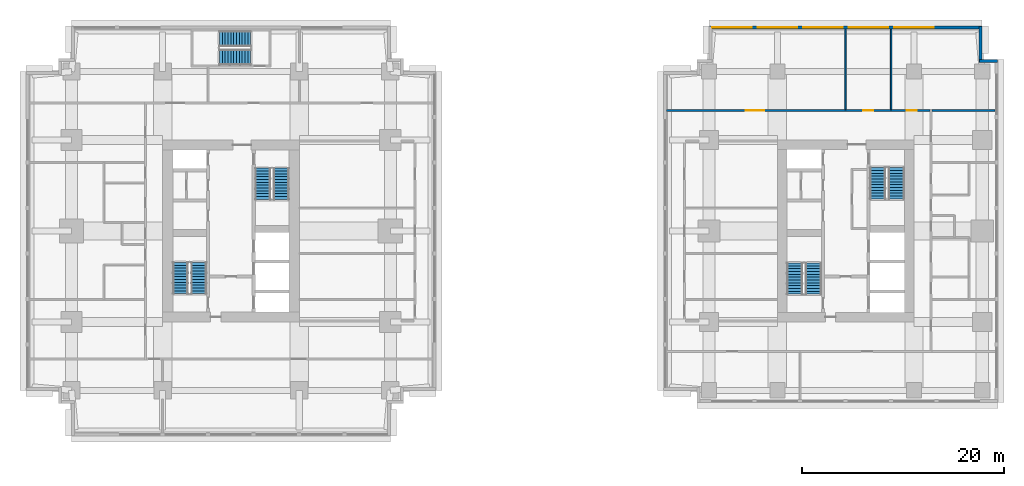
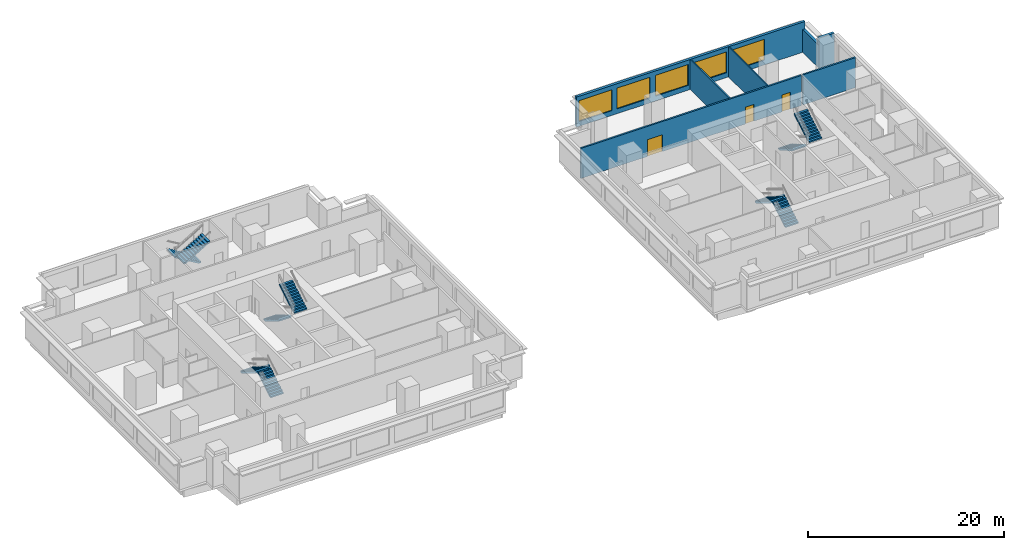
# One storey, part 8 of 10: 10 stair flights, 7 walls, 5 windows, 3 doors, 8 openings, 5 elements without a shape of their own.
"""IFC4 building model written with IfcOpenShell, lengths in metres."""

from ifc_helpers import new_model, si_unit, direction, frame, frame_2d, origin, place, context, subcontext, project, spatial, polyline, rectangle, outline, extrude, material, layer, layer_set, type_object, element, fill, aggregate, save


model = new_model("IFC4")

# Units and contexts
model_context = context("Model", 3, precision=1e-05, world=origin(), true_north=direction((0.0, 1.0)))
body_context = subcontext(model_context, "Body", "Model", "MODEL_VIEW")
ifc_project = project(units=[si_unit("LENGTHUNIT", "METRE"), si_unit("AREAUNIT", "SQUARE_METRE"), si_unit("VOLUMEUNIT", "CUBIC_METRE"), si_unit("PLANEANGLEUNIT", "RADIAN"), si_unit("MASSUNIT", "GRAM", prefix="KILO")], contexts=[model_context])

# Site, building, storey
site_placement = place(None, origin())
site = spatial("IfcSite", under=ifc_project, at=site_placement, CompositionType="ELEMENT")
building_placement = place(site_placement, origin())
building = spatial("IfcBuilding", under=site, at=building_placement, Name="Namib Vertical Campus", CompositionType="ELEMENT")
storey_placement = place(building_placement, frame((0.0, 0.0, 153.0)))
storey = spatial("IfcBuildingStorey", under=building, at=storey_placement, Name="L36", CompositionType="ELEMENT", Elevation=153.0)

# Wall, openings, doors
ifc_material_1 = material(Name="Concrete masonry", Category="masonry")
ifc_layer_1 = layer(ifc_material_1, 0.199951171875)
ifc_layer_set_1 = layer_set([ifc_layer_1], Name="Corridor wall 200")
wall_type_1 = type_object("IfcWallType", Name="Corridor wall 200", PredefinedType="SOLIDWALL", material=ifc_layer_set_1)
wall_1_placement = place(storey_placement, frame((89.35009765625, 32.14990234375, 0.0), z_axis=(0.0, 0.0, 1.0), x_axis=(-1.0, 0.0, 0.0)))
wall_1 = element("IfcWall", 1, at=wall_1_placement, inside=storey, type_object=wall_type_1, Name="Corridor wall B L36 CN", PredefinedType="SOLIDWALL", context=body_context, shape_type="SweptSolid", body=[
    extrude(rectangle(XDim=26.050048828125, YDim=0.199951171875, at=frame_2d((13.02490234375, 0.0))), origin(), (0.0, 0.0, 1.0), 3.75),
])
opening_1_placement = place(wall_1_placement, frame((16.39990234375, 0.0, 0.0)))
opening_1 = element("IfcOpeningElement", 2, at=opening_1_placement, cuts=wall_1, Name="Opening CD2", PredefinedType="OPENING", context=body_context, shape_type="SweptSolid", body=[
    extrude(rectangle(XDim=1.800048828125, YDim=2.10009765625, at=frame_2d((0.89990234375, 1.050048828125))), frame((0.0, 0.10986328125, 0.0), z_axis=(0.0, -1.0, 0.0), x_axis=(1.0, 0.0, 0.0)), (0.0, 0.0, 1.0), 0.219970703125),
])
opening_2_placement = place(wall_1_placement, frame((5.60009765625, 0.0, 0.0)))
opening_2 = element("IfcOpeningElement", 3, at=opening_2_placement, cuts=wall_1, Name="Opening CD1", PredefinedType="OPENING", context=body_context, shape_type="SweptSolid", body=[
    extrude(rectangle(XDim=1.0, YDim=2.10009765625, at=frame_2d((0.5, 1.050048828125))), frame((0.0, 0.10986328125, 0.0), z_axis=(0.0, -1.0, 0.0), x_axis=(1.0, 0.0, 0.0)), (0.0, 0.0, 1.0), 0.219970703125),
])
opening_3_placement = place(wall_1_placement, frame((1.324951171875, 0.0, 0.0)))
opening_3 = element("IfcOpeningElement", 4, at=opening_3_placement, cuts=wall_1, Name="Opening CD1", PredefinedType="OPENING", context=body_context, shape_type="SweptSolid", body=[
    extrude(rectangle(XDim=1.0, YDim=2.10009765625, at=frame_2d((0.5, 1.050048828125))), frame((0.0, 0.10986328125, 0.0), z_axis=(0.0, -1.0, 0.0), x_axis=(1.0, 0.0, 0.0)), (0.0, 0.0, 1.0), 0.219970703125),
])
ifc_material_2 = material(Name="Timber fire door leaf", Category="wood")
door_type_1 = type_object("IfcDoorType", Name="Corridor door 1000x2100 20 min", OperationType="SINGLE_SWING_LEFT", PredefinedType="DOOR", material=ifc_material_2)
door_1_placement = place(opening_2_placement, frame((1.0, 0.0, 0.0), z_axis=(0.0, 0.0, 1.0), x_axis=(-1.0, 0.0, 0.0)))
door_1 = element("IfcDoor", 5, at=door_1_placement, inside=storey, type_object=door_type_1, Name="Door CD1 B36-11", OperationType="SINGLE_SWING_RIGHT", OverallHeight=2.10009765625, OverallWidth=1.0, PredefinedType="DOOR", context=body_context, shape_type="SweptSolid", body=[
    extrude(rectangle(XDim=1.0, YDim=2.10009765625, at=frame_2d((0.5, 1.050048828125))), frame((0.0, 0.02490234375, 0.0), z_axis=(0.0, -1.0, 0.0), x_axis=(1.0, 0.0, 0.0)), (0.0, 0.0, 1.0), 0.050048828125),
])
fill(opening_2, door_1)
door_2_placement = place(opening_3_placement, frame((1.0, 0.0, 0.0), z_axis=(0.0, 0.0, 1.0), x_axis=(-1.0, 0.0, 0.0)))
door_2 = element("IfcDoor", 6, at=door_2_placement, inside=storey, type_object=door_type_1, Name="Door CD1 B36-12", OperationType="SINGLE_SWING_LEFT", OverallHeight=2.10009765625, OverallWidth=1.0, PredefinedType="DOOR", context=body_context, shape_type="SweptSolid", body=[
    extrude(rectangle(XDim=1.0, YDim=2.10009765625, at=frame_2d((0.5, 1.050048828125))), frame((0.0, 0.02490234375, 0.0), z_axis=(0.0, -1.0, 0.0), x_axis=(1.0, 0.0, 0.0)), (0.0, 0.0, 1.0), 0.050048828125),
])
fill(opening_3, door_2)
ifc_material_3 = material(Name="Timber fire door leaf", Category="wood")
door_type_2 = type_object("IfcDoorType", Name="Corridor door double 1800x2100 20 min", OperationType="DOUBLE_DOOR_SINGLE_SWING", PredefinedType="DOOR", material=ifc_material_3)
door_3_placement = place(opening_1_placement, frame((1.800048828125, 0.0, 0.0), z_axis=(0.0, 0.0, 1.0), x_axis=(-1.0, 0.0, 0.0)))
door_3 = element("IfcDoor", 7, at=door_3_placement, inside=storey, type_object=door_type_2, Name="Door CD2 B36-10", OperationType="DOUBLE_DOOR_SINGLE_SWING", OverallHeight=2.10009765625, OverallWidth=1.800048828125, PredefinedType="DOOR", context=body_context, shape_type="SweptSolid", body=[
    extrude(rectangle(XDim=1.800048828125, YDim=2.10009765625, at=frame_2d((0.89990234375, 1.050048828125))), frame((0.0, 0.02490234375, 0.0), z_axis=(0.0, -1.0, 0.0), x_axis=(1.0, 0.0, 0.0)), (0.0, 0.0, 1.0), 0.050048828125),
])
fill(opening_1, door_3)

# Walls
wall_2_placement = place(storey_placement, frame((89.550048828125, 32.14990234375, 0.0), z_axis=(0.0, 0.0, 1.0), x_axis=(1.0, 0.0, 0.0)))
element("IfcWall", 8, at=wall_2_placement, inside=storey, type_object=wall_type_1, Name="Partition B L36 BNE", PredefinedType="SOLIDWALL", context=body_context, shape_type="SweptSolid", body=[
    extrude(rectangle(XDim=6.199951171875, YDim=0.199951171875, at=frame_2d((3.10009765625, 0.0))), origin(), (0.0, 0.0, 1.0), 3.75),
])
ifc_material_4 = material(Name="Concrete C40/50", Category="concrete")
ifc_layer_2 = layer(ifc_material_4, 0.300048828125)
ifc_layer_set_2 = layer_set([ifc_layer_2], Name="Concrete C40/50")
wall_type_2 = type_object("IfcWallType", Name="External wall 300 board-marked concrete", PredefinedType="STANDARD", material=ifc_layer_set_2)
wall_3_placement = place(storey_placement, frame((96.030029296875, 37.050048828125, 0.0), z_axis=(0.0, 0.0, 1.0), x_axis=(-1.0, 0.0, 0.0)))
element("IfcWall", 9, at=wall_3_placement, inside=storey, type_object=wall_type_2, Name="External wall L36 F05", PredefinedType="STANDARD", context=body_context, shape_type="SweptSolid", body=[
    extrude(rectangle(XDim=1.81005859375, YDim=0.300048828125, at=frame_2d((0.905029296875, 0.0))), origin(), (0.0, 0.0, 1.0), 3.75),
])
wall_4_placement = place(storey_placement, frame((94.35009765625, 36.919921875, 0.0), z_axis=(0.0, 0.0, 1.0), x_axis=(0.0, 1.0, 0.0)))
element("IfcWall", 10, at=wall_4_placement, inside=storey, type_object=wall_type_2, Name="External wall L36 F06", PredefinedType="STANDARD", context=body_context, shape_type="SweptSolid", body=[
    extrude(rectangle(XDim=3.56005859375, YDim=0.300048828125, at=frame_2d((1.780029296875, 0.0))), origin(), (0.0, 0.0, 1.0), 2.85009765625),
])

# Wall, openings, windows
wall_5_placement = place(storey_placement, frame((94.47998046875, 40.35009765625, 0.0), z_axis=(0.0, 0.0, 1.0), x_axis=(-1.0, 0.0, 0.0)))
wall_5 = element("IfcWall", 11, at=wall_5_placement, inside=storey, type_object=wall_type_2, Name="External wall L36 F07", PredefinedType="STANDARD", context=body_context, shape_type="SweptSolid", body=[
    extrude(rectangle(XDim=26.9599609375, YDim=0.300048828125, at=frame_2d((13.47998046875, 0.0))), origin(), (0.0, 0.0, 1.0), 3.75),
])
opening_4_placement = place(wall_5_placement, frame((22.780029296875, 0.0, 0.60009765625)))
opening_4 = element("IfcOpeningElement", 12, at=opening_4_placement, cuts=wall_5, Name="Opening W2", PredefinedType="OPENING", context=body_context, shape_type="SweptSolid", body=[
    extrude(rectangle(XDim=3.89990234375, YDim=2.60009765625, at=frame_2d((1.949951171875, 1.300048828125))), frame((0.0, 0.159912109375, 0.0), z_axis=(0.0, -1.0, 0.0), x_axis=(1.0, 0.0, 0.0)), (0.0, 0.0, 1.0), 0.320068359375),
])
opening_5_placement = place(wall_5_placement, frame((18.280029296875, 0.0, 0.60009765625)))
opening_5 = element("IfcOpeningElement", 13, at=opening_5_placement, cuts=wall_5, Name="Opening W2", PredefinedType="OPENING", context=body_context, shape_type="SweptSolid", body=[
    extrude(rectangle(XDim=3.89990234375, YDim=2.60009765625, at=frame_2d((1.949951171875, 1.300048828125))), frame((0.0, 0.159912109375, 0.0), z_axis=(0.0, -1.0, 0.0), x_axis=(1.0, 0.0, 0.0)), (0.0, 0.0, 1.0), 0.320068359375),
])
opening_6_placement = place(wall_5_placement, frame((13.780029296875, 0.0, 0.60009765625)))
opening_6 = element("IfcOpeningElement", 14, at=opening_6_placement, cuts=wall_5, Name="Opening W2", PredefinedType="OPENING", context=body_context, shape_type="SweptSolid", body=[
    extrude(rectangle(XDim=3.89990234375, YDim=2.60009765625, at=frame_2d((1.949951171875, 1.300048828125))), frame((0.0, 0.159912109375, 0.0), z_axis=(0.0, -1.0, 0.0), x_axis=(1.0, 0.0, 0.0)), (0.0, 0.0, 1.0), 0.320068359375),
])
opening_7_placement = place(wall_5_placement, frame((9.280029296875, 0.0, 0.60009765625)))
opening_7 = element("IfcOpeningElement", 15, at=opening_7_placement, cuts=wall_5, Name="Opening W2", PredefinedType="OPENING", context=body_context, shape_type="SweptSolid", body=[
    extrude(rectangle(XDim=3.89990234375, YDim=2.60009765625, at=frame_2d((1.949951171875, 1.300048828125))), frame((0.0, 0.159912109375, 0.0), z_axis=(0.0, -1.0, 0.0), x_axis=(1.0, 0.0, 0.0)), (0.0, 0.0, 1.0), 0.320068359375),
])
opening_8_placement = place(wall_5_placement, frame((4.780029296875, 0.0, 0.60009765625)))
opening_8 = element("IfcOpeningElement", 16, at=opening_8_placement, cuts=wall_5, Name="Opening W2", PredefinedType="OPENING", context=body_context, shape_type="SweptSolid", body=[
    extrude(rectangle(XDim=3.89990234375, YDim=2.60009765625, at=frame_2d((1.949951171875, 1.300048828125))), frame((0.0, 0.159912109375, 0.0), z_axis=(0.0, -1.0, 0.0), x_axis=(1.0, 0.0, 0.0)), (0.0, 0.0, 1.0), 0.320068359375),
])
ifc_material_5 = material(Name="Dark tinted glass in black aluminium frame", Category="aluminium")
window_type = type_object("IfcWindowType", Name="Ribbon window 3900x2600", PartitioningType="SINGLE_PANEL", PredefinedType="WINDOW", material=ifc_material_5)
window_1_placement = place(opening_4_placement, origin())
window_1 = element("IfcWindow", 17, at=window_1_placement, inside=storey, type_object=window_type, Name="Window W2 L36 F07-1", OverallHeight=2.60009765625, OverallWidth=3.89990234375, PartitioningType="SINGLE_PANEL", PredefinedType="WINDOW", context=body_context, shape_type="SweptSolid", body=[
    extrude(rectangle(XDim=3.89990234375, YDim=2.60009765625, at=frame_2d((1.949951171875, 1.300048828125))), frame((0.0, 0.030029296875, 0.0), z_axis=(0.0, -1.0, 0.0), x_axis=(1.0, 0.0, 0.0)), (0.0, 0.0, 1.0), 0.06005859375),
])
fill(opening_4, window_1)
window_2_placement = place(opening_5_placement, origin())
window_2 = element("IfcWindow", 18, at=window_2_placement, inside=storey, type_object=window_type, Name="Window W2 L36 F07-2", OverallHeight=2.60009765625, OverallWidth=3.89990234375, PartitioningType="SINGLE_PANEL", PredefinedType="WINDOW", context=body_context, shape_type="SweptSolid", body=[
    extrude(rectangle(XDim=3.89990234375, YDim=2.60009765625, at=frame_2d((1.949951171875, 1.300048828125))), frame((0.0, 0.030029296875, 0.0), z_axis=(0.0, -1.0, 0.0), x_axis=(1.0, 0.0, 0.0)), (0.0, 0.0, 1.0), 0.06005859375),
])
fill(opening_5, window_2)
window_3_placement = place(opening_6_placement, origin())
window_3 = element("IfcWindow", 19, at=window_3_placement, inside=storey, type_object=window_type, Name="Window W2 L36 F07-3", OverallHeight=2.60009765625, OverallWidth=3.89990234375, PartitioningType="SINGLE_PANEL", PredefinedType="WINDOW", context=body_context, shape_type="SweptSolid", body=[
    extrude(rectangle(XDim=3.89990234375, YDim=2.60009765625, at=frame_2d((1.949951171875, 1.300048828125))), frame((0.0, 0.030029296875, 0.0), z_axis=(0.0, -1.0, 0.0), x_axis=(1.0, 0.0, 0.0)), (0.0, 0.0, 1.0), 0.06005859375),
])
fill(opening_6, window_3)
window_4_placement = place(opening_7_placement, origin())
window_4 = element("IfcWindow", 20, at=window_4_placement, inside=storey, type_object=window_type, Name="Window W2 L36 F07-4", OverallHeight=2.60009765625, OverallWidth=3.89990234375, PartitioningType="SINGLE_PANEL", PredefinedType="WINDOW", context=body_context, shape_type="SweptSolid", body=[
    extrude(rectangle(XDim=3.89990234375, YDim=2.60009765625, at=frame_2d((1.949951171875, 1.300048828125))), frame((0.0, 0.030029296875, 0.0), z_axis=(0.0, -1.0, 0.0), x_axis=(1.0, 0.0, 0.0)), (0.0, 0.0, 1.0), 0.06005859375),
])
fill(opening_7, window_4)
window_5_placement = place(opening_8_placement, origin())
window_5 = element("IfcWindow", 21, at=window_5_placement, inside=storey, type_object=window_type, Name="Window W2 L36 F07-5", OverallHeight=2.60009765625, OverallWidth=3.89990234375, PartitioningType="SINGLE_PANEL", PredefinedType="WINDOW", context=body_context, shape_type="SweptSolid", body=[
    extrude(rectangle(XDim=3.89990234375, YDim=2.60009765625, at=frame_2d((1.949951171875, 1.300048828125))), frame((0.0, 0.030029296875, 0.0), z_axis=(0.0, -1.0, 0.0), x_axis=(1.0, 0.0, 0.0)), (0.0, 0.0, 1.0), 0.06005859375),
])
fill(opening_8, window_5)

# Walls
ifc_material_6 = material(Name="Gypsum board on steel studs", Category="steel")
ifc_layer_3 = layer(ifc_material_6, 0.14990234375)
ifc_layer_set_3 = layer_set([ifc_layer_3], Name="Gypsum board on steel studs")
wall_type_3 = type_object("IfcWallType", Name="Partition 150", PredefinedType="PARTITIONING", material=ifc_layer_set_3)
for number, where, z_axis, x_axis, name in (
    (22, (81.0, 32.25, 0.0), (0.0, 0.0, 1.0), (0.0, 1.0, 0.0), "Partition B L36 PN1"),
    (23, (85.5, 32.25, 0.0), (0.0, 0.0, 1.0), (0.0, 1.0, 0.0), "Partition B L36 PN2"),
):
    element("IfcWall", number, at=place(storey_placement, frame(where, z_axis=z_axis, x_axis=x_axis)), inside=storey, type_object=wall_type_3, Name=name, PredefinedType="PARTITIONING", context=body_context, shape_type="SweptSolid", body=[
        extrude(rectangle(XDim=7.949951171875, YDim=0.14990234375, at=frame_2d((3.97509765625, 0.0))), origin(), (0.0, 0.0, 1.0), 3.75),
    ])

# Stair, stair flights
ifc_material_7 = material(Name="Concrete C40/50 precast", Category="concrete")
stair_type_1 = type_object("IfcStairType", Name="Exit stair 4000 rise 24 risers 3350 wide", PredefinedType="HALF_TURN_STAIR", material=ifc_material_7)
stair_1_placement = place(storey_placement, origin())
stair_1 = element("IfcStair", 24, at=stair_1_placement, inside=storey, type_object=stair_type_1, Name="Exit stair A-S1 L36", PredefinedType="HALF_TURN_STAIR")
ifc_material_8 = material(Name="Concrete C40/50 precast", Category="concrete")
stair_flight_type_1 = type_object("IfcStairFlightType", Name="Stair flight 12 risers 167 1525 wide", PredefinedType="STRAIGHT", material=ifc_material_8)
stair_flight_1_placement = place(storey_placement, frame((17.08740234375, 14.050048828125, 0.0), z_axis=(0.0, 0.0, 1.0), x_axis=(0.0, 1.0, 0.0)))
stair_flight_1 = element("IfcStairFlight", 25, at=stair_flight_1_placement, type_object=stair_flight_type_1, Name="A-S1 flight 1", NumberOfRisers=12, NumberOfTreads=11, PredefinedType="STRAIGHT", RiserHeight=0.166666667, TreadLength=0.28, context=body_context, shape_type="SweptSolid", body=[
    extrude(outline(polyline([(0.0, 0.0), (0.0, 0.166748046875), (0.280029296875, 0.166748046875), (0.280029296875, 0.333251953125), (0.56005859375, 0.333251953125), (0.56005859375, 0.5), (0.840087890625, 0.5), (0.840087890625, 0.666748046875), (1.1201171875, 0.666748046875), (1.1201171875, 0.833251953125), (1.39990234375, 0.833251953125), (1.39990234375, 1.0), (1.679931640625, 1.0), (1.679931640625, 1.166748046875), (1.9599609375, 1.166748046875), (1.9599609375, 1.333251953125), (2.239990234375, 1.333251953125), (2.239990234375, 1.5), (2.52001953125, 1.5), (2.52001953125, 1.666748046875), (2.800048828125, 1.666748046875), (2.800048828125, 1.833251953125), (3.080078125, 1.833251953125), (3.080078125, 2.0), (3.080078125, 1.658935546875), (0.29296875, 0.0), (0.0, 0.0)])), frame((0.0, 0.762451171875, 0.0), z_axis=(0.0, -1.0, 0.0), x_axis=(1.0, 0.0, 0.0)), (0.0, 0.0, 1.0), 1.52490234375),
])
stair_flight_2_placement = place(storey_placement, frame((15.262451171875, 17.1298828125, 2.0), z_axis=(0.0, 0.0, 1.0), x_axis=(0.0, -1.0, 0.0)))
stair_flight_2 = element("IfcStairFlight", 26, at=stair_flight_2_placement, type_object=stair_flight_type_1, Name="A-S1 flight 2", NumberOfRisers=12, NumberOfTreads=11, PredefinedType="STRAIGHT", RiserHeight=0.166666667, TreadLength=0.28, context=body_context, shape_type="SweptSolid", body=[
    extrude(outline(polyline([(0.0, 0.0), (0.0, 0.166748046875), (0.280029296875, 0.166748046875), (0.280029296875, 0.333251953125), (0.56005859375, 0.333251953125), (0.56005859375, 0.5), (0.840087890625, 0.5), (0.840087890625, 0.666748046875), (1.1201171875, 0.666748046875), (1.1201171875, 0.833251953125), (1.39990234375, 0.833251953125), (1.39990234375, 1.0), (1.679931640625, 1.0), (1.679931640625, 1.166748046875), (1.9599609375, 1.166748046875), (1.9599609375, 1.333251953125), (2.239990234375, 1.333251953125), (2.239990234375, 1.5), (2.52001953125, 1.5), (2.52001953125, 1.666748046875), (2.800048828125, 1.666748046875), (2.800048828125, 1.833251953125), (3.080078125, 1.833251953125), (3.080078125, 2.0), (3.080078125, 1.658935546875), (0.29296875, 0.0), (0.0, 0.0)])), frame((0.0, 0.762451171875, 0.0), z_axis=(0.0, -1.0, 0.0), x_axis=(1.0, 0.0, 0.0)), (0.0, 0.0, 1.0), 1.52490234375),
])
aggregate(stair_1, [stair_flight_1, stair_flight_2])

stair_2_placement = place(storey_placement, origin())
stair_2 = element("IfcStair", 27, at=stair_2_placement, inside=storey, type_object=stair_type_1, Name="Exit stair A-S2 L36", PredefinedType="HALF_TURN_STAIR")
stair_flight_3_placement = place(storey_placement, frame((23.41259765625, 26.449951171875, 0.0), z_axis=(0.0, 0.0, 1.0), x_axis=(0.0, -1.0, 0.0)))
stair_flight_3 = element("IfcStairFlight", 28, at=stair_flight_3_placement, type_object=stair_flight_type_1, Name="A-S2 flight 1", NumberOfRisers=12, NumberOfTreads=11, PredefinedType="STRAIGHT", RiserHeight=0.166666667, TreadLength=0.28, context=body_context, shape_type="SweptSolid", body=[
    extrude(outline(polyline([(0.0, 0.0), (0.0, 0.166748046875), (0.280029296875, 0.166748046875), (0.280029296875, 0.333251953125), (0.56005859375, 0.333251953125), (0.56005859375, 0.5), (0.840087890625, 0.5), (0.840087890625, 0.666748046875), (1.1201171875, 0.666748046875), (1.1201171875, 0.833251953125), (1.39990234375, 0.833251953125), (1.39990234375, 1.0), (1.679931640625, 1.0), (1.679931640625, 1.166748046875), (1.9599609375, 1.166748046875), (1.9599609375, 1.333251953125), (2.239990234375, 1.333251953125), (2.239990234375, 1.5), (2.52001953125, 1.5), (2.52001953125, 1.666748046875), (2.800048828125, 1.666748046875), (2.800048828125, 1.833251953125), (3.080078125, 1.833251953125), (3.080078125, 2.0), (3.080078125, 1.658935546875), (0.29296875, 0.0), (0.0, 0.0)])), frame((0.0, 0.762451171875, 0.0), z_axis=(0.0, -1.0, 0.0), x_axis=(1.0, 0.0, 0.0)), (0.0, 0.0, 1.0), 1.52490234375),
])
stair_flight_4_placement = place(storey_placement, frame((25.237548828125, 23.3701171875, 2.0), z_axis=(0.0, 0.0, 1.0), x_axis=(0.0, 1.0, 0.0)))
stair_flight_4 = element("IfcStairFlight", 29, at=stair_flight_4_placement, type_object=stair_flight_type_1, Name="A-S2 flight 2", NumberOfRisers=12, NumberOfTreads=11, PredefinedType="STRAIGHT", RiserHeight=0.166666667, TreadLength=0.28, context=body_context, shape_type="SweptSolid", body=[
    extrude(outline(polyline([(0.0, 0.0), (0.0, 0.166748046875), (0.280029296875, 0.166748046875), (0.280029296875, 0.333251953125), (0.56005859375, 0.333251953125), (0.56005859375, 0.5), (0.840087890625, 0.5), (0.840087890625, 0.666748046875), (1.1201171875, 0.666748046875), (1.1201171875, 0.833251953125), (1.39990234375, 0.833251953125), (1.39990234375, 1.0), (1.679931640625, 1.0), (1.679931640625, 1.166748046875), (1.9599609375, 1.166748046875), (1.9599609375, 1.333251953125), (2.239990234375, 1.333251953125), (2.239990234375, 1.5), (2.52001953125, 1.5), (2.52001953125, 1.666748046875), (2.800048828125, 1.666748046875), (2.800048828125, 1.833251953125), (3.080078125, 1.833251953125), (3.080078125, 2.0), (3.080078125, 1.658935546875), (0.29296875, 0.0), (0.0, 0.0)])), frame((0.0, 0.762451171875, 0.0), z_axis=(0.0, -1.0, 0.0), x_axis=(1.0, 0.0, 0.0)), (0.0, 0.0, 1.0), 1.52490234375),
])
aggregate(stair_2, [stair_flight_3, stair_flight_4])

stair_3_placement = place(storey_placement, origin())
stair_3 = element("IfcStair", 30, at=stair_3_placement, inside=storey, type_object=stair_type_1, Name="Exit stair A-S3 L36", PredefinedType="HALF_TURN_STAIR")
stair_flight_5_placement = place(storey_placement, frame((22.199951171875, 39.237548828125, 0.0), z_axis=(0.0, 0.0, 1.0), x_axis=(-1.0, 0.0, 0.0)))
stair_flight_5 = element("IfcStairFlight", 31, at=stair_flight_5_placement, type_object=stair_flight_type_1, Name="A-S3 flight 1", NumberOfRisers=12, NumberOfTreads=11, PredefinedType="STRAIGHT", RiserHeight=0.166666667, TreadLength=0.28, context=body_context, shape_type="SweptSolid", body=[
    extrude(outline(polyline([(0.0, 0.0), (0.0, 0.166748046875), (0.280029296875, 0.166748046875), (0.280029296875, 0.333251953125), (0.56005859375, 0.333251953125), (0.56005859375, 0.5), (0.840087890625, 0.5), (0.840087890625, 0.666748046875), (1.1201171875, 0.666748046875), (1.1201171875, 0.833251953125), (1.39990234375, 0.833251953125), (1.39990234375, 1.0), (1.679931640625, 1.0), (1.679931640625, 1.166748046875), (1.9599609375, 1.166748046875), (1.9599609375, 1.333251953125), (2.239990234375, 1.333251953125), (2.239990234375, 1.5), (2.52001953125, 1.5), (2.52001953125, 1.666748046875), (2.800048828125, 1.666748046875), (2.800048828125, 1.833251953125), (3.080078125, 1.833251953125), (3.080078125, 2.0), (3.080078125, 1.658935546875), (0.29296875, 0.0), (0.0, 0.0)])), frame((0.0, 0.762451171875, 0.0), z_axis=(0.0, -1.0, 0.0), x_axis=(1.0, 0.0, 0.0)), (0.0, 0.0, 1.0), 1.52490234375),
])
stair_flight_6_placement = place(storey_placement, frame((19.1201171875, 37.41259765625, 2.0), z_axis=(0.0, 0.0, 1.0), x_axis=(1.0, 0.0, 0.0)))
stair_flight_6 = element("IfcStairFlight", 32, at=stair_flight_6_placement, type_object=stair_flight_type_1, Name="A-S3 flight 2", NumberOfRisers=12, NumberOfTreads=11, PredefinedType="STRAIGHT", RiserHeight=0.166666667, TreadLength=0.28, context=body_context, shape_type="SweptSolid", body=[
    extrude(outline(polyline([(0.0, 0.0), (0.0, 0.166748046875), (0.280029296875, 0.166748046875), (0.280029296875, 0.333251953125), (0.56005859375, 0.333251953125), (0.56005859375, 0.5), (0.840087890625, 0.5), (0.840087890625, 0.666748046875), (1.1201171875, 0.666748046875), (1.1201171875, 0.833251953125), (1.39990234375, 0.833251953125), (1.39990234375, 1.0), (1.679931640625, 1.0), (1.679931640625, 1.166748046875), (1.9599609375, 1.166748046875), (1.9599609375, 1.333251953125), (2.239990234375, 1.333251953125), (2.239990234375, 1.5), (2.52001953125, 1.5), (2.52001953125, 1.666748046875), (2.800048828125, 1.666748046875), (2.800048828125, 1.833251953125), (3.080078125, 1.833251953125), (3.080078125, 2.0), (3.080078125, 1.658935546875), (0.29296875, 0.0), (0.0, 0.0)])), frame((0.0, 0.762451171875, 0.0), z_axis=(0.0, -1.0, 0.0), x_axis=(1.0, 0.0, 0.0)), (0.0, 0.0, 1.0), 1.52490234375),
])
aggregate(stair_3, [stair_flight_5, stair_flight_6])

ifc_material_9 = material(Name="Concrete C40/50 precast", Category="concrete")
stair_type_2 = type_object("IfcStairType", Name="Exit stair 4000 rise 24 risers 3400 wide", PredefinedType="HALF_TURN_STAIR", material=ifc_material_9)
stair_4_placement = place(storey_placement, origin())
stair_4 = element("IfcStair", 33, at=stair_4_placement, inside=storey, type_object=stair_type_2, Name="Exit stair B-S1 L36", PredefinedType="HALF_TURN_STAIR")
ifc_material_10 = material(Name="Concrete C40/50 precast", Category="concrete")
stair_flight_type_2 = type_object("IfcStairFlightType", Name="Stair flight 12 risers 167 1550 wide", PredefinedType="STRAIGHT", material=ifc_material_10)
stair_flight_7_placement = place(storey_placement, frame((77.824951171875, 14.0, 0.0), z_axis=(0.0, 0.0, 1.0), x_axis=(0.0, 1.0, 0.0)))
stair_flight_7 = element("IfcStairFlight", 34, at=stair_flight_7_placement, type_object=stair_flight_type_2, Name="B-S1 flight 1", NumberOfRisers=12, NumberOfTreads=11, PredefinedType="STRAIGHT", RiserHeight=0.166666667, TreadLength=0.28, context=body_context, shape_type="SweptSolid", body=[
    extrude(outline(polyline([(0.0, 0.0), (0.0, 0.166748046875), (0.280029296875, 0.166748046875), (0.280029296875, 0.333251953125), (0.56005859375, 0.333251953125), (0.56005859375, 0.5), (0.840087890625, 0.5), (0.840087890625, 0.666748046875), (1.1201171875, 0.666748046875), (1.1201171875, 0.833251953125), (1.39990234375, 0.833251953125), (1.39990234375, 1.0), (1.679931640625, 1.0), (1.679931640625, 1.166748046875), (1.9599609375, 1.166748046875), (1.9599609375, 1.333251953125), (2.239990234375, 1.333251953125), (2.239990234375, 1.5), (2.52001953125, 1.5), (2.52001953125, 1.666748046875), (2.800048828125, 1.666748046875), (2.800048828125, 1.833251953125), (3.080078125, 1.833251953125), (3.080078125, 2.0), (3.080078125, 1.658935546875), (0.29296875, 0.0), (0.0, 0.0)])), frame((0.0, 0.77490234375, 0.0), z_axis=(0.0, -1.0, 0.0), x_axis=(1.0, 0.0, 0.0)), (0.0, 0.0, 1.0), 1.550048828125),
])
stair_flight_8_placement = place(storey_placement, frame((75.97509765625, 17.080078125, 2.0), z_axis=(0.0, 0.0, 1.0), x_axis=(0.0, -1.0, 0.0)))
stair_flight_8 = element("IfcStairFlight", 35, at=stair_flight_8_placement, type_object=stair_flight_type_2, Name="B-S1 flight 2", NumberOfRisers=12, NumberOfTreads=11, PredefinedType="STRAIGHT", RiserHeight=0.166666667, TreadLength=0.28, context=body_context, shape_type="SweptSolid", body=[
    extrude(outline(polyline([(0.0, 0.0), (0.0, 0.166748046875), (0.280029296875, 0.166748046875), (0.280029296875, 0.333251953125), (0.56005859375, 0.333251953125), (0.56005859375, 0.5), (0.840087890625, 0.5), (0.840087890625, 0.666748046875), (1.1201171875, 0.666748046875), (1.1201171875, 0.833251953125), (1.39990234375, 0.833251953125), (1.39990234375, 1.0), (1.679931640625, 1.0), (1.679931640625, 1.166748046875), (1.9599609375, 1.166748046875), (1.9599609375, 1.333251953125), (2.239990234375, 1.333251953125), (2.239990234375, 1.5), (2.52001953125, 1.5), (2.52001953125, 1.666748046875), (2.800048828125, 1.666748046875), (2.800048828125, 1.833251953125), (3.080078125, 1.833251953125), (3.080078125, 2.0), (3.080078125, 1.658935546875), (0.29296875, 0.0), (0.0, 0.0)])), frame((0.0, 0.77490234375, 0.0), z_axis=(0.0, -1.0, 0.0), x_axis=(1.0, 0.0, 0.0)), (0.0, 0.0, 1.0), 1.550048828125),
])
aggregate(stair_4, [stair_flight_7, stair_flight_8])

stair_5_placement = place(storey_placement, origin())
stair_5 = element("IfcStair", 36, at=stair_5_placement, inside=storey, type_object=stair_type_2, Name="Exit stair B-S2 L36", PredefinedType="HALF_TURN_STAIR")
stair_flight_9_placement = place(storey_placement, frame((84.175048828125, 26.5, 0.0), z_axis=(0.0, 0.0, 1.0), x_axis=(0.0, -1.0, 0.0)))
stair_flight_9 = element("IfcStairFlight", 37, at=stair_flight_9_placement, type_object=stair_flight_type_2, Name="B-S2 flight 1", NumberOfRisers=12, NumberOfTreads=11, PredefinedType="STRAIGHT", RiserHeight=0.166666667, TreadLength=0.28, context=body_context, shape_type="SweptSolid", body=[
    extrude(outline(polyline([(0.0, 0.0), (0.0, 0.166748046875), (0.280029296875, 0.166748046875), (0.280029296875, 0.333251953125), (0.56005859375, 0.333251953125), (0.56005859375, 0.5), (0.840087890625, 0.5), (0.840087890625, 0.666748046875), (1.1201171875, 0.666748046875), (1.1201171875, 0.833251953125), (1.39990234375, 0.833251953125), (1.39990234375, 1.0), (1.679931640625, 1.0), (1.679931640625, 1.166748046875), (1.9599609375, 1.166748046875), (1.9599609375, 1.333251953125), (2.239990234375, 1.333251953125), (2.239990234375, 1.5), (2.52001953125, 1.5), (2.52001953125, 1.666748046875), (2.800048828125, 1.666748046875), (2.800048828125, 1.833251953125), (3.080078125, 1.833251953125), (3.080078125, 2.0), (3.080078125, 1.658935546875), (0.29296875, 0.0), (0.0, 0.0)])), frame((0.0, 0.77490234375, 0.0), z_axis=(0.0, -1.0, 0.0), x_axis=(1.0, 0.0, 0.0)), (0.0, 0.0, 1.0), 1.550048828125),
])
stair_flight_10_placement = place(storey_placement, frame((86.02490234375, 23.419921875, 2.0), z_axis=(0.0, 0.0, 1.0), x_axis=(0.0, 1.0, 0.0)))
stair_flight_10 = element("IfcStairFlight", 38, at=stair_flight_10_placement, type_object=stair_flight_type_2, Name="B-S2 flight 2", NumberOfRisers=12, NumberOfTreads=11, PredefinedType="STRAIGHT", RiserHeight=0.166666667, TreadLength=0.28, context=body_context, shape_type="SweptSolid", body=[
    extrude(outline(polyline([(0.0, 0.0), (0.0, 0.166748046875), (0.280029296875, 0.166748046875), (0.280029296875, 0.333251953125), (0.56005859375, 0.333251953125), (0.56005859375, 0.5), (0.840087890625, 0.5), (0.840087890625, 0.666748046875), (1.1201171875, 0.666748046875), (1.1201171875, 0.833251953125), (1.39990234375, 0.833251953125), (1.39990234375, 1.0), (1.679931640625, 1.0), (1.679931640625, 1.166748046875), (1.9599609375, 1.166748046875), (1.9599609375, 1.333251953125), (2.239990234375, 1.333251953125), (2.239990234375, 1.5), (2.52001953125, 1.5), (2.52001953125, 1.666748046875), (2.800048828125, 1.666748046875), (2.800048828125, 1.833251953125), (3.080078125, 1.833251953125), (3.080078125, 2.0), (3.080078125, 1.658935546875), (0.29296875, 0.0), (0.0, 0.0)])), frame((0.0, 0.77490234375, 0.0), z_axis=(0.0, -1.0, 0.0), x_axis=(1.0, 0.0, 0.0)), (0.0, 0.0, 1.0), 1.550048828125),
])
aggregate(stair_5, [stair_flight_9, stair_flight_10])

save(model, "model.ifc")
